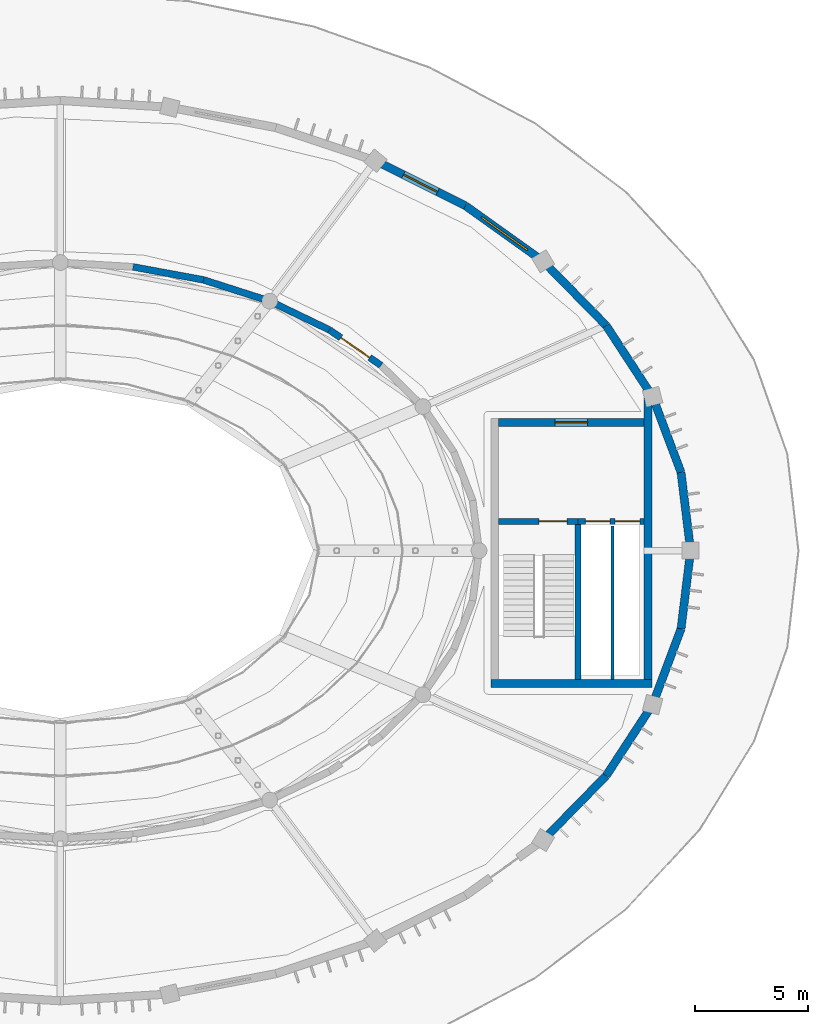
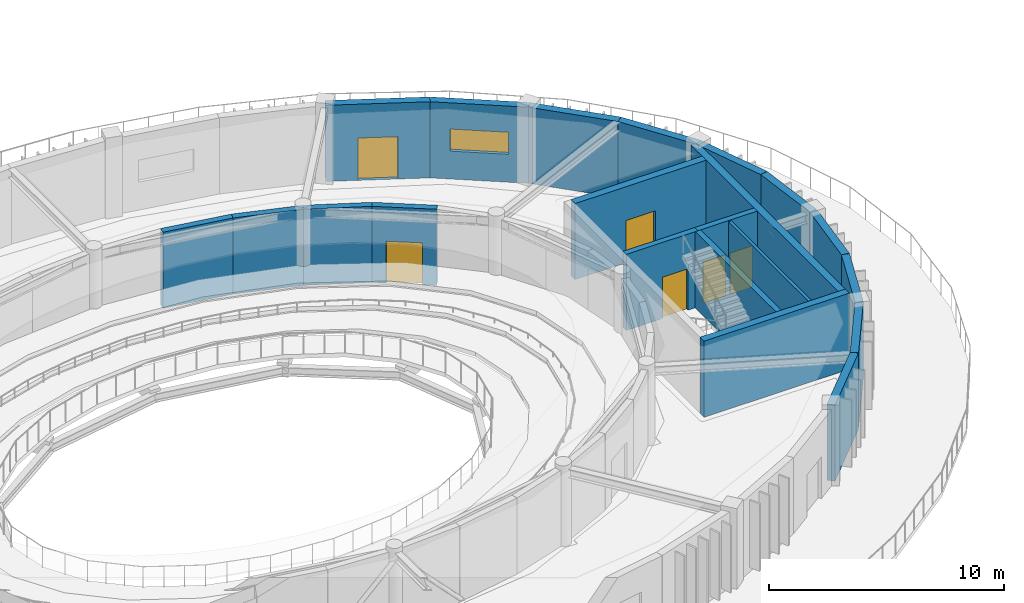
# One storey, part 46 of 63: 21 walls, 6 doors, 1 window, 7 openings.
"""IFC4 building model written with IfcOpenShell, lengths in metres."""

import ifcopenshell
import ifcopenshell.guid

model = None  # the IFC model being written
_history = None  # IfcOwnerHistory: only IFC2X3 demands one
_inside = {}  # id of a spatial element -> (the spatial element, [elements in it])
_under = {}  # id of a project, library or spatial element -> (it, [spatial elements below it])
_declared = {}  # id of a project -> (the project, [libraries it declares])
_typed = {}  # id of a type object -> (the type object, [elements of that type])
_made_of = {}  # id of a material, layer set ... -> (it, [elements and type objects made of it])


def new_model(schema):
    """Start an empty IFC model of exactly this schema.

    Asked for "IFC4X3", IfcOpenShell would pick the latest addendum, in which some entities
    have other attributes; the version numbers below select the first issue.
    IFC2X3 requires an IfcOwnerHistory on every rooted entity: one is made here for all.
    """
    global model, _history
    if schema == "IFC4X3":
        model = ifcopenshell.file(schema_version=(4, 3, 0, 0))
    else:
        model = ifcopenshell.file(schema=schema)
    _inside.clear()
    _under.clear()
    _declared.clear()
    _typed.clear()
    _made_of.clear()
    _history = None
    if model.schema == "IFC2X3":
        org = make("IfcOrganization", Name="unknown")
        user = make(
            "IfcPersonAndOrganization",
            ThePerson=make("IfcPerson", FamilyName="unknown"),
            TheOrganization=org,
        )
        app = make(
            "IfcApplication",
            ApplicationDeveloper=org,
            Version="unknown",
            ApplicationFullName="unknown",
            ApplicationIdentifier="unknown",
        )
        _history = make(
            "IfcOwnerHistory",
            OwningUser=user,
            OwningApplication=app,
            ChangeAction="ADDED",
            CreationDate=0,
        )
    return model


def make(cls, **values):
    """One entity of the class cls with the attributes given. An attribute that is None is left unset."""
    return model.create_entity(
        cls, **{name: value for name, value in values.items() if value is not None}
    )


def rooted(cls, **values):
    """An entity with a GlobalId (a new one), such as an element, a storey or a relation."""
    return make(cls, GlobalId=ifcopenshell.guid.new(), OwnerHistory=_history, **values)


def si_unit(unit_type, name, prefix=None):
    """IfcSIUnit, for example si_unit("LENGTHUNIT", "METRE", prefix="MILLI")."""
    return make("IfcSIUnit", UnitType=unit_type, Prefix=prefix, Name=name)


def assignment(units):
    """IfcUnitAssignment: the units of a project."""
    return None if units is None else make("IfcUnitAssignment", Units=units)


def point(xyz):
    """IfcCartesianPoint."""
    return None if xyz is None else make("IfcCartesianPoint", Coordinates=xyz)


def direction(xyz):
    """IfcDirection."""
    return None if xyz is None else make("IfcDirection", DirectionRatios=xyz)


def frame(location, z_axis=None, x_axis=None):
    """IfcAxis2Placement3D, a coordinate frame: its origin and axes. An axis left out is left unset."""
    return make(
        "IfcAxis2Placement3D",
        Location=point(location),
        Axis=direction(z_axis),
        RefDirection=direction(x_axis),
    )


def frame_2d(location, x_axis=None):
    """IfcAxis2Placement2D, a coordinate frame in the plane: its origin and x axis."""
    return make(
        "IfcAxis2Placement2D", Location=point(location), RefDirection=direction(x_axis)
    )


def origin():
    """The frame at (0, 0, 0) with its axes left unset."""
    return frame((0.0, 0.0, 0.0))


def place(relative_to, where):
    """IfcLocalPlacement: puts the frame where relative to a parent placement (None: the world)."""
    return make(
        "IfcLocalPlacement", PlacementRelTo=relative_to, RelativePlacement=where
    )


def context(
    kind, dimensions, precision=None, world=None, true_north=None, identifier=None
):
    """IfcGeometricRepresentationContext, for example the 3D "Model" context."""
    return make(
        "IfcGeometricRepresentationContext",
        ContextIdentifier=identifier,
        ContextType=kind,
        CoordinateSpaceDimension=dimensions,
        Precision=precision,
        WorldCoordinateSystem=world,
        TrueNorth=true_north,
    )


def subcontext(parent, identifier, kind, view, scale=None):
    """IfcGeometricRepresentationSubContext, for example "Body" below "Model"."""
    return make(
        "IfcGeometricRepresentationSubContext",
        ContextIdentifier=identifier,
        ContextType=kind,
        ParentContext=parent,
        TargetScale=scale,
        TargetView=view,
    )


def project(units=None, contexts=None):
    """IfcProject with its units and contexts."""
    return rooted(
        "IfcProject",
        Name="project",
        RepresentationContexts=contexts,
        UnitsInContext=assignment(units),
    )


def spatial(cls, under=None, at=None, **own):
    """A site, building, storey or space (cls), placed at a placement, below another one or the project."""
    s = rooted(cls, ObjectPlacement=at, **own)
    if under is not None:
        _under.setdefault(under.id(), (under, []))[1].append(s)
    return s


def profile(cls, at=None, kind="AREA", **sizes):
    """A parametric profile (cls). Its sizes go by their IFC names, for example OverallWidth=200.0."""
    return make(cls, ProfileType=kind, Position=at, **sizes)


def rectangle(**sizes):
    """IfcRectangleProfileDef."""
    return profile("IfcRectangleProfileDef", **sizes)


def extrude(swept, where, along, depth):
    """IfcExtrudedAreaSolid: the profile swept, set in the frame where, extruded along a direction by depth."""
    return make(
        "IfcExtrudedAreaSolid",
        SweptArea=swept,
        Position=where,
        ExtrudedDirection=direction(along),
        Depth=depth,
    )


def shape(context_of_items, identifier, shape_type, items):
    """IfcShapeRepresentation: the items that make up one representation, for example the "Body"."""
    return make(
        "IfcShapeRepresentation",
        ContextOfItems=context_of_items,
        RepresentationIdentifier=identifier,
        RepresentationType=shape_type,
        Items=items,
    )


def material(Name=None, Category=None):
    """IfcMaterial."""
    return make("IfcMaterial", Name=Name, Category=Category)


def layer(
    of_material, thickness, ventilated=None, Name=None, Category=None, Priority=None
):
    """IfcMaterialLayer: one layer of a wall or slab, of a material (None: an air gap)."""
    return make(
        "IfcMaterialLayer",
        Material=of_material,
        LayerThickness=thickness,
        IsVentilated=ventilated,
        Name=Name,
        Category=Category,
        Priority=Priority,
    )


def layer_set(layers, Name=None):
    """IfcMaterialLayerSet."""
    return make("IfcMaterialLayerSet", MaterialLayers=layers, LayerSetName=Name)


def made_of(thing, what):
    """Note that an element or type object is made of a material, layer set ...; save() writes the relation."""
    if what is not None:
        _made_of.setdefault(what.id(), (what, []))[1].append(thing)
    return thing


def type_object(cls, material=None, **own):
    """A type object (cls), such as IfcWallType, which elements share."""
    return made_of(rooted(cls, **own), material)


def element(
    cls,
    number,
    at=None,
    inside=None,
    cuts=None,
    type_object=None,
    material=None,
    context=None,
    identifier="Body",
    shape_type=None,
    held_by="IfcProductDefinitionShape",
    body=None,
    shapes=None,
    **own,
):
    """One element of the class cls, such as IfcWall. Its Tag is "e" and its number.

    at: its placement. inside: the storey or other place that contains it. cuts: it is an
    opening in that element (IfcRelVoidsElement). A single representation is given by context,
    identifier, shape_type and body (its items); several are given by shapes. held_by: the class
    of the entity that holds the representations. save() writes the other relations.
    """
    e = rooted(cls, Tag="e%d" % number, ObjectPlacement=at, **own)
    if body is not None:
        shapes = [shape(context, identifier, shape_type, body)]
    if shapes is not None:
        e.Representation = make(held_by, Representations=shapes)
    if inside is not None:
        _inside.setdefault(inside.id(), (inside, []))[1].append(e)
    if cuts is not None:
        rooted(
            "IfcRelVoidsElement", RelatingBuildingElement=cuts, RelatedOpeningElement=e
        )
    if type_object is not None:
        _typed.setdefault(type_object.id(), (type_object, []))[1].append(e)
    return made_of(e, material)


def fill(opening, filler):
    """IfcRelFillsElement: the door or window that sits in an opening."""
    return rooted(
        "IfcRelFillsElement",
        RelatingOpeningElement=opening,
        RelatedBuildingElement=filler,
    )


def aggregate(whole, parts):
    """IfcRelAggregates: a whole, such as a stair, and the parts it consists of."""
    return rooted("IfcRelAggregates", RelatingObject=whole, RelatedObjects=parts)


def save(model, path):
    """Write the relations noted so far, then the file.

    IfcRelAggregates (storeys below a building ...), IfcRelContainedInSpatialStructure (elements
    in a storey), IfcRelDefinesByType, IfcRelAssociatesMaterial and IfcRelDeclares: one each for
    every whole, place, type object, material and project.
    """
    for whole, parts in _under.values():
        aggregate(whole, parts)
    for where, things in _inside.values():
        rooted(
            "IfcRelContainedInSpatialStructure",
            RelatedElements=things,
            RelatingStructure=where,
        )
    for kind, things in _typed.values():
        rooted("IfcRelDefinesByType", RelatedObjects=things, RelatingType=kind)
    for what, things in _made_of.values():
        rooted("IfcRelAssociatesMaterial", RelatedObjects=things, RelatingMaterial=what)
    for by, libraries in _declared.values():
        rooted("IfcRelDeclares", RelatingContext=by, RelatedDefinitions=libraries)
    model.write(path)


model = new_model("IFC4")

# Units and contexts
model_context = context("Model", 3, precision=1e-05, world=origin(), true_north=direction((0.0, 1.0)))
body_context = subcontext(model_context, "Body", "Model", "MODEL_VIEW")
ifc_project = project(units=[si_unit("LENGTHUNIT", "METRE"), si_unit("AREAUNIT", "SQUARE_METRE"), si_unit("VOLUMEUNIT", "CUBIC_METRE"), si_unit("PLANEANGLEUNIT", "RADIAN"), si_unit("MASSUNIT", "GRAM", prefix="KILO")], contexts=[model_context])

# Site, building, storey
site_placement = place(None, origin())
site = spatial("IfcSite", under=ifc_project, at=site_placement, CompositionType="ELEMENT")
building_placement = place(site_placement, origin())
building = spatial("IfcBuilding", under=site, at=building_placement, Name="Tarnveldt Headland Concert Hall", CompositionType="ELEMENT")
storey_placement = place(building_placement, frame((0.0, 0.0, 14.39990234375)))
storey = spatial("IfcBuildingStorey", under=building, at=storey_placement, Name="L03", CompositionType="ELEMENT", Elevation=14.39990234375)

# Wall
ifc_material_1 = material(Name="Concrete C40/50", Category="concrete")
ifc_layer_1 = layer(ifc_material_1, 0.35009765625, Name="Concrete C40/50", Category="concrete")
ifc_layer_set_1 = layer_set([ifc_layer_1], Name="Concrete C40/50")
wall_type_1 = type_object("IfcWallType", Name="WL-CR350", PredefinedType="SHEAR", material=ifc_layer_set_1)
wall_1_placement = place(storey_placement, frame((102.625, 48.60009765625, 0.0), z_axis=(0.0, 0.0, 1.0), x_axis=(1.0, 0.0, 0.0)))
element("IfcWall", 1, at=wall_1_placement, inside=storey, type_object=wall_type_1, Name="Core C2 south shear wall L03", PredefinedType="SHEAR", context=body_context, shape_type="SweptSolid", body=[
    extrude(rectangle(XDim=7.14990234375, YDim=0.35009765625, at=frame_2d((3.574951171875, 0.0))), origin(), (0.0, 0.0, 1.0), 3.960205078125),
])

# Wall, opening, door
wall_2_placement = place(storey_placement, frame((102.97509765625, 60.199951171875, 0.0), z_axis=(0.0, 0.0, 1.0), x_axis=(1.0, 0.0, 0.0)))
wall_2 = element("IfcWall", 2, at=wall_2_placement, inside=storey, type_object=wall_type_1, Name="Core C2 north shear wall L03", PredefinedType="SHEAR", context=body_context, shape_type="SweptSolid", body=[
    extrude(rectangle(XDim=6.449951171875, YDim=0.35009765625, at=frame_2d((3.22509765625, 0.0))), origin(), (0.0, 0.0, 1.0), 3.960205078125),
])
opening_1_placement = place(wall_2_placement, frame((2.5, 0.0, 0.0)))
opening_1 = element("IfcOpeningElement", 3, at=opening_1_placement, cuts=wall_2, Name="Opening LBD-C2-L03", PredefinedType="OPENING", context=body_context, shape_type="SweptSolid", body=[
    extrude(rectangle(XDim=1.449951171875, YDim=2.199951171875, at=frame_2d((0.72509765625, 1.10009765625))), frame((0.0, 0.18505859375, 0.0), z_axis=(0.0, -1.0, 0.0), x_axis=(1.0, 0.0, 0.0)), (0.0, 0.0, 1.0), 0.3701171875),
])
ifc_material_2 = material(Name="Galvanised painted steel sheet", Category="steel")
door_type_1 = type_object("IfcDoorType", Name="DR-LB145", OperationType="NOTDEFINED", PredefinedType="DOOR", material=ifc_material_2)
door_1_placement = place(opening_1_placement, origin())
door_1 = element("IfcDoor", 4, at=door_1_placement, inside=storey, type_object=door_type_1, Name="Core C2 lobby entrance door L03", OperationType="SINGLE_SWING_RIGHT", OverallHeight=2.199951171875, OverallWidth=1.449951171875, PredefinedType="DOOR", context=body_context, shape_type="SweptSolid", body=[
    extrude(rectangle(XDim=1.449951171875, YDim=2.199951171875, at=frame_2d((0.72509765625, 1.10009765625))), frame((0.0, 0.02490234375, 0.0), z_axis=(0.0, -1.0, 0.0), x_axis=(1.0, 0.0, 0.0)), (0.0, 0.0, 1.0), 0.050048828125),
])
fill(opening_1, door_1)

# Walls
wall_3_placement = place(storey_placement, frame((109.60009765625, 48.77490234375, 0.0), z_axis=(0.0, 0.0, 1.0), x_axis=(0.0, 1.0, 0.0)))
element("IfcWall", 5, at=wall_3_placement, inside=storey, type_object=wall_type_1, Name="Core C2 east shear wall L03", PredefinedType="SHEAR", context=body_context, shape_type="SweptSolid", body=[
    extrude(rectangle(XDim=12.565185546875, YDim=0.35009765625, at=frame_2d((6.28271484375, 0.0))), origin(), (0.0, 0.0, 1.0), 3.960205078125),
])
ifc_layer_2 = layer(ifc_material_1, 0.360107421875, Name="Concrete C40/50", Category="concrete")
ifc_layer_set_2 = layer_set([ifc_layer_2], Name="Concrete C40/50")
wall_type_2 = type_object("IfcWallType", Name="WL-CR360", PredefinedType="SHEAR", material=ifc_layer_set_2)
wall_4_placement = place(storey_placement, frame((111.5, 54.5, 0.0), z_axis=(0.0, 0.0, 1.0), x_axis=(-0.121552414401, 0.99258501427, 0.0)))
element("IfcWall", 6, at=wall_4_placement, inside=storey, type_object=wall_type_2, Name="Symphony drum shear wall L03-1", PredefinedType="SHEAR", context=body_context, shape_type="SweptSolid", body=[
    extrude(rectangle(XDim=3.498779296875, YDim=0.360107421875, at=frame_2d((1.74951171875, 0.0))), origin(), (0.0, 0.0, 1.0), 3.960205078125),
])
wall_5_placement = place(storey_placement, frame((111.07470703125, 57.972900390625, 0.0), z_axis=(0.0, 0.0, 1.0), x_axis=(-0.351279653979, 0.936270583058, 0.0)))
element("IfcWall", 7, at=wall_5_placement, inside=storey, type_object=wall_type_2, Name="Symphony drum shear wall L03-2", PredefinedType="SHEAR", context=body_context, shape_type="SweptSolid", body=[
    extrude(rectangle(XDim=3.5966796875, YDim=0.360107421875, at=frame_2d((1.79833984375, 0.0))), origin(), (0.0, 0.0, 1.0), 3.960205078125),
])
wall_6_placement = place(storey_placement, frame((109.811279296875, 61.34033203125, 0.0), z_axis=(0.0, 0.0, 1.0), x_axis=(-0.546611158382, 0.837386554425, 0.0)))
element("IfcWall", 8, at=wall_6_placement, inside=storey, type_object=wall_type_2, Name="Symphony drum shear wall L03-3", PredefinedType="SHEAR", context=body_context, shape_type="SweptSolid", body=[
    extrude(rectangle(XDim=3.773193359375, YDim=0.360107421875, at=frame_2d((1.88671875, 0.0))), origin(), (0.0, 0.0, 1.0), 3.960205078125),
])
wall_7_placement = place(storey_placement, frame((107.748779296875, 64.5, 0.0), z_axis=(0.0, 0.0, 1.0), x_axis=(-0.700051268358, 0.714092586203, 0.0)))
element("IfcWall", 9, at=wall_7_placement, inside=storey, type_object=wall_type_2, Name="Symphony drum shear wall L03-4", PredefinedType="SHEAR", context=body_context, shape_type="SweptSolid", body=[
    extrude(rectangle(XDim=3.9990234375, YDim=0.360107421875, at=frame_2d((1.99951171875, 0.0))), origin(), (0.0, 0.0, 1.0), 3.960205078125),
])

# Wall, opening, window
wall_8_placement = place(storey_placement, frame((104.94921875, 67.355712890625, 0.0), z_axis=(0.0, 0.0, 1.0), x_axis=(-0.813737360708, 0.581232748378, 0.0)))
wall_8 = element("IfcWall", 10, at=wall_8_placement, inside=storey, type_object=wall_type_2, Name="Symphony drum shear wall L03-5", PredefinedType="SHEAR", context=body_context, shape_type="SweptSolid", body=[
    extrude(rectangle(XDim=4.2412109375, YDim=0.360107421875, at=frame_2d((2.12060546875, 0.0))), origin(), (0.0, 0.0, 1.0), 3.960205078125),
])
opening_2_placement = place(wall_8_placement, frame((0.87060546875, 0.0, 1.449951171875)))
opening_2 = element("IfcOpeningElement", 11, at=opening_2_placement, cuts=wall_8, Name="Opening W-D001", PredefinedType="OPENING", context=body_context, shape_type="SweptSolid", body=[
    extrude(rectangle(XDim=2.5, YDim=1.14990234375, at=frame_2d((1.25, 0.574951171875))), frame((0.0, 0.18994140625, 0.0), z_axis=(0.0, -1.0, 0.0), x_axis=(1.0, 0.0, 0.0)), (0.0, 0.0, 1.0), 0.380126953125),
])
ifc_material_3 = material(Name="Acoustic laminated low-iron double glazing", Category="glass")
window_type = type_object("IfcWindowType", Name="WN-21", PartitioningType="SINGLE_PANEL", PredefinedType="WINDOW", material=ifc_material_3)
window_placement = place(opening_2_placement, origin())
window = element("IfcWindow", 12, at=window_placement, inside=storey, type_object=window_type, Name="Drum acoustic gallery window L03-5", OverallHeight=1.14990234375, OverallWidth=2.5, PartitioningType="SINGLE_PANEL", PredefinedType="WINDOW", context=body_context, shape_type="SweptSolid", body=[
    extrude(rectangle(XDim=2.5, YDim=1.14990234375, at=frame_2d((1.25, 0.574951171875))), frame((0.0, 0.030029296875, 0.0), z_axis=(0.0, -1.0, 0.0), x_axis=(1.0, 0.0, 0.0)), (0.0, 0.0, 1.0), 0.06005859375),
])
fill(opening_2, window)

# Wall, opening, door
wall_9_placement = place(storey_placement, frame((101.498046875, 69.82080078125, 0.0), z_axis=(0.0, 0.0, 1.0), x_axis=(-0.894361644392, 0.447344664705, 0.0)))
wall_9 = element("IfcWall", 13, at=wall_9_placement, inside=storey, type_object=wall_type_2, Name="Symphony drum shear wall L03-6", PredefinedType="SHEAR", context=body_context, shape_type="SweptSolid", body=[
    extrude(rectangle(XDim=4.47021484375, YDim=0.360107421875, at=frame_2d((2.235107421875, 0.0))), origin(), (0.0, 0.0, 1.0), 3.960205078125),
])
opening_3_placement = place(wall_9_placement, frame((1.385009765625, 0.0, 0.0)))
opening_3 = element("IfcOpeningElement", 14, at=opening_3_placement, cuts=wall_9, Name="Opening TD-L03-1", PredefinedType="OPENING", context=body_context, shape_type="SweptSolid", body=[
    extrude(rectangle(XDim=1.699951171875, YDim=2.199951171875, at=frame_2d((0.85009765625, 1.10009765625))), frame((0.0, 0.18994140625, 0.0), z_axis=(0.0, -1.0, 0.0), x_axis=(1.0, 0.0, 0.0)), (0.0, 0.0, 1.0), 0.380126953125),
])
ifc_material_4 = material(Name="Marine-anodised aluminium EN AW-6063-T6", Category="aluminium")
door_type_2 = type_object("IfcDoorType", Name="DR-TR170", OperationType="NOTDEFINED", PredefinedType="DOOR", material=ifc_material_4)
door_2_placement = place(opening_3_placement, origin())
door_2 = element("IfcDoor", 15, at=door_2_placement, inside=storey, type_object=door_type_2, Name="Drum terrace access door 1", OperationType="SINGLE_SWING_LEFT", OverallHeight=2.199951171875, OverallWidth=1.699951171875, PredefinedType="DOOR", context=body_context, shape_type="SweptSolid", body=[
    extrude(rectangle(XDim=1.699951171875, YDim=2.199951171875, at=frame_2d((0.85009765625, 1.10009765625))), frame((0.0, 0.02490234375, 0.0), z_axis=(0.0, -1.0, 0.0), x_axis=(1.0, 0.0, 0.0)), (0.0, 0.0, 1.0), 0.050048828125),
])
fill(opening_3, door_2)

# Walls
wall_10_placement = place(storey_placement, frame((104.94921875, 41.644287109375, 0.0), z_axis=(0.0, 0.0, 1.0), x_axis=(0.700051268358, 0.714092586203, 0.0)))
element("IfcWall", 16, at=wall_10_placement, inside=storey, type_object=wall_type_2, Name="Symphony drum shear wall L03-33", PredefinedType="SHEAR", context=body_context, shape_type="SweptSolid", body=[
    extrude(rectangle(XDim=3.9990234375, YDim=0.360107421875, at=frame_2d((1.99951171875, 0.0))), origin(), (0.0, 0.0, 1.0), 3.960205078125),
])
wall_11_placement = place(storey_placement, frame((107.748779296875, 44.5, 0.0), z_axis=(0.0, 0.0, 1.0), x_axis=(0.546611158382, 0.837386554425, 0.0)))
element("IfcWall", 17, at=wall_11_placement, inside=storey, type_object=wall_type_2, Name="Symphony drum shear wall L03-34", PredefinedType="SHEAR", context=body_context, shape_type="SweptSolid", body=[
    extrude(rectangle(XDim=3.773193359375, YDim=0.360107421875, at=frame_2d((1.88671875, 0.0))), origin(), (0.0, 0.0, 1.0), 3.960205078125),
])
wall_12_placement = place(storey_placement, frame((109.811279296875, 47.65966796875, 0.0), z_axis=(0.0, 0.0, 1.0), x_axis=(0.351279653979, 0.936270583058, 0.0)))
element("IfcWall", 18, at=wall_12_placement, inside=storey, type_object=wall_type_2, Name="Symphony drum shear wall L03-35", PredefinedType="SHEAR", context=body_context, shape_type="SweptSolid", body=[
    extrude(rectangle(XDim=3.5966796875, YDim=0.360107421875, at=frame_2d((1.79833984375, 0.0))), origin(), (0.0, 0.0, 1.0), 3.960205078125),
])
wall_13_placement = place(storey_placement, frame((111.07470703125, 51.027099609375, 0.0), z_axis=(0.0, 0.0, 1.0), x_axis=(0.121552414401, 0.99258501427, 0.0)))
element("IfcWall", 19, at=wall_13_placement, inside=storey, type_object=wall_type_2, Name="Symphony drum shear wall L03-36", PredefinedType="SHEAR", context=body_context, shape_type="SweptSolid", body=[
    extrude(rectangle(XDim=3.498779296875, YDim=0.360107421875, at=frame_2d((1.74951171875, 0.0))), origin(), (0.0, 0.0, 1.0), 3.960205078125),
])
ifc_material_5 = material(Name="Acoustic multi-layer gypsum and mineral-wool partition", Category="gypsum")
ifc_layer_3 = layer(ifc_material_5, 0.14990234375, Name="Acoustic multi-layer gypsum and mineral-wool partition", Category="gypsum")
ifc_layer_set_3 = layer_set([ifc_layer_3], Name="Acoustic multi-layer gypsum and mineral-wool partition")
wall_type_3 = type_object("IfcWallType", Name="WL-PT150", PredefinedType="PARTITIONING", material=ifc_layer_set_3)
wall_14_placement = place(storey_placement, frame((108.032470703125, 48.77490234375, 0.0), z_axis=(0.0, 0.0, 1.0), x_axis=(0.0, 1.0, 0.0)))
element("IfcWall", 20, at=wall_14_placement, inside=storey, type_object=wall_type_3, Name="Core C2 twin lift divider L03", PredefinedType="PARTITIONING", context=body_context, shape_type="SweptSolid", body=[
    extrude(rectangle(XDim=6.8251953125, YDim=0.14990234375, at=frame_2d((3.41259765625, 0.0))), origin(), (0.0, 0.0, 1.0), 3.9541015625),
])
ifc_layer_4 = layer(ifc_material_1, 0.27490234375, Name="Concrete C40/50", Category="concrete")
ifc_layer_set_4 = layer_set([ifc_layer_4], Name="Concrete C40/50")
wall_type_4 = type_object("IfcWallType", Name="WL-SH275", PredefinedType="SHEAR", material=ifc_layer_set_4)
wall_15_placement = place(storey_placement, frame((106.5, 48.77490234375, 0.0), z_axis=(0.0, 0.0, 1.0), x_axis=(0.0, 1.0, 0.0)))
element("IfcWall", 21, at=wall_15_placement, inside=storey, type_object=wall_type_4, Name="Core C2 shaft divider wall L03", PredefinedType="SHEAR", context=body_context, shape_type="SweptSolid", body=[
    extrude(rectangle(XDim=6.8876953125, YDim=0.27490234375, at=frame_2d((3.44384765625, 0.0))), origin(), (0.0, 0.0, 1.0), 3.960205078125),
])

# Wall, opening, door
wall_16_placement = place(storey_placement, frame((102.97509765625, 55.800048828125, 0.0), z_axis=(0.0, 0.0, 1.0), x_axis=(1.0, 0.0, 0.0)))
wall_16 = element("IfcWall", 22, at=wall_16_placement, inside=storey, type_object=wall_type_4, Name="Core C2 stair enclosure wall L03", PredefinedType="SHEAR", context=body_context, shape_type="SweptSolid", body=[
    extrude(rectangle(XDim=3.52490234375, YDim=0.27490234375, at=frame_2d((1.762451171875, 0.0))), origin(), (0.0, 0.0, 1.0), 3.960205078125),
])
opening_4_placement = place(wall_16_placement, frame((1.784912109375, 0.0, 0.0)))
opening_4 = element("IfcOpeningElement", 23, at=opening_4_placement, cuts=wall_16, Name="Opening SD-C2-L03", PredefinedType="OPENING", context=body_context, shape_type="SweptSolid", body=[
    extrude(rectangle(XDim=1.25, YDim=2.14990234375, at=frame_2d((0.625, 1.074951171875))), frame((0.0, 0.1474609375, 0.0), z_axis=(0.0, -1.0, 0.0), x_axis=(1.0, 0.0, 0.0)), (0.0, 0.0, 1.0), 0.294921875),
])
door_type_3 = type_object("IfcDoorType", Name="DR-ST125", OperationType="NOTDEFINED", PredefinedType="DOOR", material=ifc_material_2)
door_3_placement = place(opening_4_placement, origin())
door_3 = element("IfcDoor", 24, at=door_3_placement, inside=storey, type_object=door_type_3, Name="Core C2 stair fire door L03", OperationType="SINGLE_SWING_RIGHT", OverallHeight=2.14990234375, OverallWidth=1.25, PredefinedType="DOOR", context=body_context, shape_type="SweptSolid", body=[
    extrude(rectangle(XDim=1.25, YDim=2.14990234375, at=frame_2d((0.625, 1.074951171875))), frame((0.0, 0.02490234375, 0.0), z_axis=(0.0, -1.0, 0.0), x_axis=(1.0, 0.0, 0.0)), (0.0, 0.0, 1.0), 0.050048828125),
])
fill(opening_4, door_3)

# Wall, openings, doors
wall_17_placement = place(storey_placement, frame((106.5, 55.800048828125, 0.0), z_axis=(0.0, 0.0, 1.0), x_axis=(1.0, 0.0, 0.0)))
wall_17 = element("IfcWall", 25, at=wall_17_placement, inside=storey, type_object=wall_type_4, Name="Core C2 lift shaft front wall L03", PredefinedType="SHEAR", context=body_context, shape_type="SweptSolid", body=[
    extrude(rectangle(XDim=2.925048828125, YDim=0.27490234375, at=frame_2d((1.46240234375, 0.0))), origin(), (0.0, 0.0, 1.0), 3.960205078125),
])
opening_5_placement = place(wall_17_placement, frame((0.320068359375, 0.0, 0.0)))
opening_5 = element("IfcOpeningElement", 26, at=opening_5_placement, cuts=wall_17, Name="Opening LD-LP-02-L03", PredefinedType="OPENING", context=body_context, shape_type="SweptSolid", body=[
    extrude(rectangle(XDim=1.10009765625, YDim=2.14990234375, at=frame_2d((0.550048828125, 1.074951171875))), frame((0.0, 0.1474609375, 0.0), z_axis=(0.0, -1.0, 0.0), x_axis=(1.0, 0.0, 0.0)), (0.0, 0.0, 1.0), 0.294921875),
])
opening_6_placement = place(wall_17_placement, frame((1.64501953125, 0.0, 0.0)))
opening_6 = element("IfcOpeningElement", 27, at=opening_6_placement, cuts=wall_17, Name="Opening LD-LP-03-L03", PredefinedType="OPENING", context=body_context, shape_type="SweptSolid", body=[
    extrude(rectangle(XDim=1.10009765625, YDim=2.14990234375, at=frame_2d((0.550048828125, 1.074951171875))), frame((0.0, 0.1474609375, 0.0), z_axis=(0.0, -1.0, 0.0), x_axis=(1.0, 0.0, 0.0)), (0.0, 0.0, 1.0), 0.294921875),
])
door_type_4 = type_object("IfcDoorType", Name="LD-110", OperationType="NOTDEFINED", PredefinedType="DOOR", material=ifc_material_2)
door_4_placement = place(opening_5_placement, origin())
door_4 = element("IfcDoor", 28, at=door_4_placement, inside=storey, type_object=door_type_4, Name="Lift LP-02 sliding landing door L03", OperationType="DOUBLE_DOOR_SLIDING", OverallHeight=2.14990234375, OverallWidth=1.10009765625, PredefinedType="DOOR", context=body_context, shape_type="SweptSolid", body=[
    extrude(rectangle(XDim=1.10009765625, YDim=2.14990234375, at=frame_2d((0.550048828125, 1.074951171875))), frame((0.0, 0.02490234375, 0.0), z_axis=(0.0, -1.0, 0.0), x_axis=(1.0, 0.0, 0.0)), (0.0, 0.0, 1.0), 0.050048828125),
])
fill(opening_5, door_4)
door_5_placement = place(opening_6_placement, origin())
door_5 = element("IfcDoor", 29, at=door_5_placement, inside=storey, type_object=door_type_4, Name="Lift LP-03 sliding landing door L03", OperationType="DOUBLE_DOOR_SLIDING", OverallHeight=2.14990234375, OverallWidth=1.10009765625, PredefinedType="DOOR", context=body_context, shape_type="SweptSolid", body=[
    extrude(rectangle(XDim=1.10009765625, YDim=2.14990234375, at=frame_2d((0.550048828125, 1.074951171875))), frame((0.0, 0.02490234375, 0.0), z_axis=(0.0, -1.0, 0.0), x_axis=(1.0, 0.0, 0.0)), (0.0, 0.0, 1.0), 0.050048828125),
])
fill(opening_6, door_5)

# Wall, opening, door
ifc_layer_5 = layer(ifc_material_1, 0.300048828125, Name="Concrete C40/50", Category="concrete")
ifc_layer_set_5 = layer_set([ifc_layer_5], Name="Concrete C40/50")
wall_type_5 = type_object("IfcWallType", Name="WL-SH300", PredefinedType="SHEAR", material=ifc_layer_set_5)
wall_18_placement = place(storey_placement, frame((97.748291015625, 62.727783203125, 0.0), z_axis=(0.0, 0.0, 1.0), x_axis=(-0.823780742291, 0.566908536388, 0.0)))
wall_18 = element("IfcWall", 30, at=wall_18_placement, inside=storey, type_object=wall_type_5, Name="Acoustic inner box wall L03-5", PredefinedType="SHEAR", context=body_context, shape_type="SweptSolid", body=[
    extrude(rectangle(XDim=2.782958984375, YDim=0.300048828125, at=frame_2d((1.3916015625, 0.0))), origin(), (0.0, 0.0, 1.0), 3.960205078125),
])
opening_7_placement = place(wall_18_placement, frame((0.616455078125, 0.0, 0.0)))
opening_7 = element("IfcOpeningElement", 31, at=opening_7_placement, cuts=wall_18, Name="Opening AD-I041", PredefinedType="OPENING", context=body_context, shape_type="SweptSolid", body=[
    extrude(rectangle(XDim=1.550048828125, YDim=2.179931640625, at=frame_2d((0.77490234375, 1.08984375))), frame((0.0, 0.159912109375, 0.0), z_axis=(0.0, -1.0, 0.0), x_axis=(1.0, 0.0, 0.0)), (0.0, 0.0, 1.0), 0.320068359375),
])
ifc_material_6 = material(Name="Treated East African mvule hardwood", Category="wood")
door_type_5 = type_object("IfcDoorType", Name="DR-AC155", OperationType="NOTDEFINED", PredefinedType="DOOR", material=ifc_material_6)
door_6_placement = place(opening_7_placement, origin())
door_6 = element("IfcDoor", 32, at=door_6_placement, inside=storey, type_object=door_type_5, Name="Auditorium sound-lock vomitory door L03-5", OperationType="SINGLE_SWING_LEFT", OverallHeight=2.179931640625, OverallWidth=1.550048828125, PredefinedType="DOOR", context=body_context, shape_type="SweptSolid", body=[
    extrude(rectangle(XDim=1.550048828125, YDim=2.179931640625, at=frame_2d((0.77490234375, 1.08984375))), frame((0.0, 0.02490234375, 0.0), z_axis=(0.0, -1.0, 0.0), x_axis=(1.0, 0.0, 0.0)), (0.0, 0.0, 1.0), 0.050048828125),
])
fill(opening_7, door_6)

# Walls
wall_19_placement = place(storey_placement, frame((95.455810546875, 64.305419921875, 0.0), z_axis=(0.0, 0.0, 1.0), x_axis=(-0.900857755122, 0.434114391648, 0.0)))
element("IfcWall", 33, at=wall_19_placement, inside=storey, type_object=wall_type_5, Name="Acoustic inner box wall L03-6", PredefinedType="SHEAR", context=body_context, shape_type="SweptSolid", body=[
    extrude(rectangle(XDim=2.947998046875, YDim=0.300048828125, at=frame_2d((1.47412109375, 0.0))), origin(), (0.0, 0.0, 1.0), 3.960205078125),
])
wall_20_placement = place(storey_placement, frame((92.800048828125, 65.585205078125, 0.0), z_axis=(0.0, 0.0, 1.0), x_axis=(-0.952183186678, 0.305527705795, 0.0)))
element("IfcWall", 34, at=wall_20_placement, inside=storey, type_object=wall_type_5, Name="Acoustic inner box wall L03-7", PredefinedType="SHEAR", context=body_context, shape_type="SweptSolid", body=[
    extrude(rectangle(XDim=3.0859375, YDim=0.300048828125, at=frame_2d((1.54296875, 0.0))), origin(), (0.0, 0.0, 1.0), 3.960205078125),
])
wall_21_placement = place(storey_placement, frame((89.861572265625, 66.528076171875, 0.0), z_axis=(0.0, 0.0, 1.0), x_axis=(-0.9834240594, 0.18132048807, 0.0)))
element("IfcWall", 35, at=wall_21_placement, inside=storey, type_object=wall_type_5, Name="Acoustic inner box wall L03-8", PredefinedType="SHEAR", context=body_context, shape_type="SweptSolid", body=[
    extrude(rectangle(XDim=3.184326171875, YDim=0.300048828125, at=frame_2d((1.59228515625, 0.0))), origin(), (0.0, 0.0, 1.0), 3.960205078125),
])

save(model, "model.ifc")
